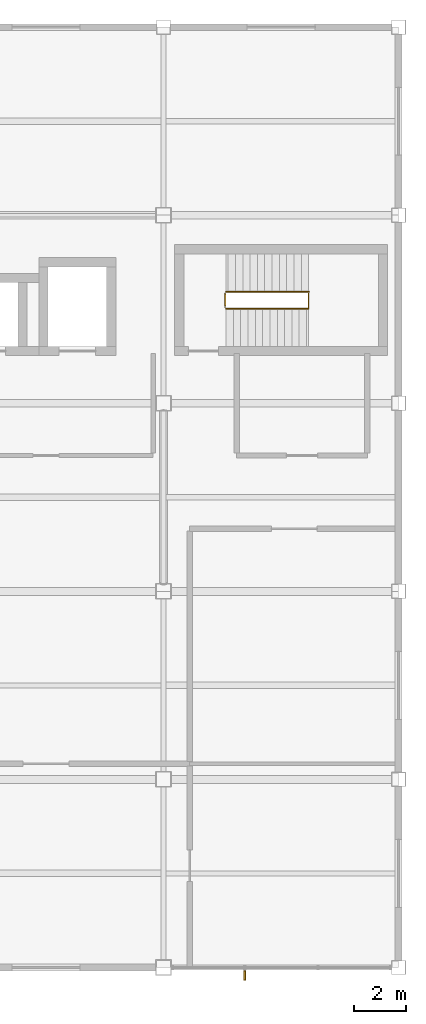
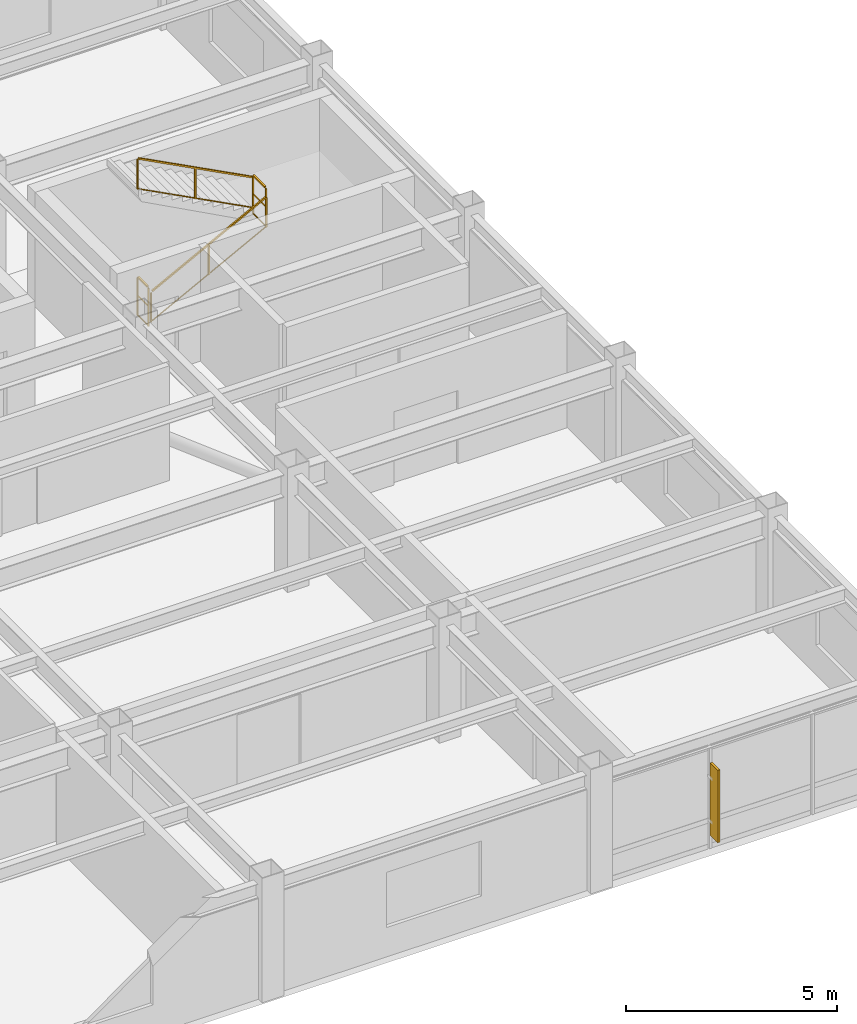
# One storey, part 10 of 11: 4 railings, 1 shading device.
"""IFC4 building model written with IfcOpenShell, lengths in metres."""

from ifc_helpers import new_model, si_unit, direction, frame, origin, origin_2d, place, context, subcontext, project, spatial, rectangle, extrude, material, type_object, element, save


model = new_model("IFC4")

# Units and contexts
model_context = context("Model", 3, precision=1e-05, world=origin(), true_north=direction((0.0, 1.0)))
body_context = subcontext(model_context, "Body", "Model", "MODEL_VIEW")
ifc_project = project(units=[si_unit("LENGTHUNIT", "METRE"), si_unit("AREAUNIT", "SQUARE_METRE"), si_unit("VOLUMEUNIT", "CUBIC_METRE"), si_unit("PLANEANGLEUNIT", "RADIAN"), si_unit("MASSUNIT", "GRAM", prefix="KILO")], contexts=[model_context])

# Site, building, storey
site_placement = place(None, origin())
site = spatial("IfcSite", under=ifc_project, at=site_placement, CompositionType="ELEMENT")
building_placement = place(site_placement, origin())
building = spatial("IfcBuilding", under=site, at=building_placement, Name="Kazanami Central Library", CompositionType="ELEMENT")
storey_placement = place(building_placement, frame((0.0, 0.0, 24.199951171875)))
storey = spatial("IfcBuildingStorey", under=building, at=storey_placement, Name="L07", CompositionType="ELEMENT", Elevation=24.199951171875)

# Railings
ifc_material_1 = material(Name="Stainless Steel SUS304", Category="steel")
railing_type_1 = type_object("IfcRailingType", Name="RAL-GR-S1", PredefinedType="GUARDRAIL", material=ifc_material_1)
railing_1_placement = place(storey_placement, frame((155.360107421875, 82.89501953125, 0.0)))
element("IfcRailing", 1, at=railing_1_placement, inside=storey, type_object=railing_type_1, Name="Stair Well Guard ST-02 L07", PredefinedType="GUARDRAIL", context=body_context, shape_type="SweptSolid", body=[
    extrude(rectangle(XDim=0.0439453125, YDim=0.0439453125, at=origin_2d()), frame((0.0, 0.02587890625, 1.1279296875), z_axis=(0.0, 1.0, 0.0), x_axis=(-1.0, 0.0, 0.0)), (0.0, 0.0, 1.0), 0.4580078125),
    extrude(rectangle(XDim=0.02392578125, YDim=0.02392578125, at=origin_2d()), frame((0.0, 0.02587890625, 0.015869140625), z_axis=(0.0, 1.0, 0.0), x_axis=(-1.0, 0.0, 0.0)), (0.0, 0.0, 1.0), 0.4580078125),
    extrude(rectangle(XDim=0.02392578125, YDim=0.02392578125, at=origin_2d()), frame((0.0, 0.02587890625, 0.574951171875), z_axis=(0.0, 1.0, 0.0), x_axis=(-1.0, 0.0, 0.0)), (0.0, 0.0, 1.0), 0.4580078125),
    extrude(rectangle(XDim=0.035888671875, YDim=0.035888671875, at=origin_2d()), origin(), (0.0, 0.0, 1.0), 1.10205078125),
    extrude(rectangle(XDim=0.035888671875, YDim=0.035888671875, at=origin_2d()), frame((0.0, 0.510009765625, 0.0)), (0.0, 0.0, 1.0), 1.10205078125),
])
railing_2_placement = place(storey_placement, frame((158.548095703125, 82.844970703125, 1.800048828125)))
element("IfcRailing", 2, at=railing_2_placement, inside=storey, type_object=railing_type_1, Name="Half-Landing Well Guard ST-02 L07", PredefinedType="GUARDRAIL", context=body_context, shape_type="SweptSolid", body=[
    extrude(rectangle(XDim=0.0439453125, YDim=0.0439453125, at=origin_2d()), frame((0.0, 0.02587890625, 1.1279296875), z_axis=(0.0, 1.0, 0.0), x_axis=(-1.0, 0.0, 0.0)), (0.0, 0.0, 1.0), 0.55810546875),
    extrude(rectangle(XDim=0.02392578125, YDim=0.02392578125, at=origin_2d()), frame((0.0, 0.02587890625, 0.015869140625), z_axis=(0.0, 1.0, 0.0), x_axis=(-1.0, 0.0, 0.0)), (0.0, 0.0, 1.0), 0.55810546875),
    extrude(rectangle(XDim=0.02392578125, YDim=0.02392578125, at=origin_2d()), frame((0.0, 0.02587890625, 0.574951171875), z_axis=(0.0, 1.0, 0.0), x_axis=(-1.0, 0.0, 0.0)), (0.0, 0.0, 1.0), 0.55810546875),
    extrude(rectangle(XDim=0.035888671875, YDim=0.035888671875, at=origin_2d()), origin(), (0.0, 0.0, 1.0), 1.10205078125),
    extrude(rectangle(XDim=0.035888671875, YDim=0.035888671875, at=origin_2d()), frame((0.0, 0.610107421875, 0.0)), (0.0, 0.0, 1.0), 1.10205078125),
])
railing_type_2 = type_object("IfcRailingType", Name="RAL-HR-01", PredefinedType="HANDRAIL", material=ifc_material_1)
railing_3_placement = place(storey_placement, frame((155.39404296875, 82.824951171875, 0.150146484375)))
element("IfcRailing", 3, at=railing_3_placement, inside=storey, type_object=railing_type_2, Name="Stair Handrail ST-02 Flight 1 (L07)", PredefinedType="HANDRAIL", context=body_context, shape_type="SweptSolid", body=[
    extrude(rectangle(XDim=0.0439453125, YDim=0.0439453125, at=origin_2d()), frame((0.02294921875, 0.0, 0.889892578125), z_axis=(0.886087811587, 0.0, 0.463517410845), x_axis=(0.0, 1.0, 0.0)), (0.0, 0.0, 1.0), 3.507568359375),
    extrude(rectangle(XDim=0.02392578125, YDim=0.02392578125, at=origin_2d()), frame((0.02294921875, 0.0, 0.028076171875), z_axis=(0.886087811587, 0.0, 0.463517410845), x_axis=(0.0, 1.0, 0.0)), (0.0, 0.0, 1.0), 3.507568359375),
    extrude(rectangle(XDim=0.035888671875, YDim=0.035888671875, at=origin_2d()), origin(), (0.0, 0.0, 1.0), 0.85205078125),
    extrude(rectangle(XDim=0.035888671875, YDim=0.035888671875, at=origin_2d()), frame((1.5771484375, 0.0, 0.824951171875)), (0.0, 0.0, 1.0), 0.85205078125),
    extrude(rectangle(XDim=0.035888671875, YDim=0.035888671875, at=origin_2d()), frame((3.154052734375, 0.0, 1.64990234375)), (0.0, 0.0, 1.0), 0.85205078125),
])
railing_type_3 = type_object("IfcRailingType", Name="RAL-HR-02", PredefinedType="HANDRAIL", material=ifc_material_1)
railing_4_placement = place(storey_placement, frame((158.553955078125, 83.47509765625, 1.949951171875)))
element("IfcRailing", 4, at=railing_4_placement, inside=storey, type_object=railing_type_3, Name="Stair Handrail ST-02 Flight 2 (L07)", PredefinedType="HANDRAIL", context=body_context, shape_type="SweptSolid", body=[
    extrude(rectangle(XDim=0.0439453125, YDim=0.0439453125, at=origin_2d()), frame((-0.02294921875, 0.0, 0.909912109375), z_axis=(-0.886059640598, 0.0, 0.463571260222), x_axis=(0.0, -1.0, 0.0)), (0.0, 0.0, 1.0), 3.507568359375),
    extrude(rectangle(XDim=0.02392578125, YDim=0.02392578125, at=origin_2d()), frame((-0.02294921875, 0.0, 0.028076171875), z_axis=(-0.886059640598, 0.0, 0.463571260222), x_axis=(0.0, -1.0, 0.0)), (0.0, 0.0, 1.0), 3.507568359375),
    extrude(rectangle(XDim=0.035888671875, YDim=0.035888671875, at=origin_2d()), origin(), (0.0, 0.0, 1.0), 0.8720703125),
    extrude(rectangle(XDim=0.035888671875, YDim=0.035888671875, at=origin_2d()), frame((-1.5771484375, 0.0, 0.8251953125)), (0.0, 0.0, 1.0), 0.8720703125),
    extrude(rectangle(XDim=0.035888671875, YDim=0.035888671875, at=origin_2d()), frame((-3.154052734375, 0.0, 1.650146484375)), (0.0, 0.0, 1.0), 0.8720703125),
])

# Shading device
ifc_material_2 = material(Name="Anodised Bronze-Grey Aluminium A6063-T5", Category="aluminium")
shading_device_type = type_object("IfcShadingDeviceType", Name="SHD-FIN-1", PredefinedType="USERDEFINED", material=ifc_material_2)
shading_device_placement = place(storey_placement, frame((156.1083984375, 57.300048828125, 0.409912109375), z_axis=(0.0, 0.0, 1.0), x_axis=(1.0, 0.0, 0.0)))
element("IfcShadingDevice", 5, at=shading_device_placement, inside=storey, type_object=shading_device_type, Name="Vertical Solar Fin SF-01 L07 S-J-17.1", ObjectType="SOLAR FIN", PredefinedType="USERDEFINED", context=body_context, shape_type="SweptSolid", body=[
    extrude(rectangle(XDim=0.06005859375, YDim=0.360107421875, at=origin_2d()), origin(), (0.0, 0.0, 1.0), 2.10009765625),
])

save(model, "model.ifc")
